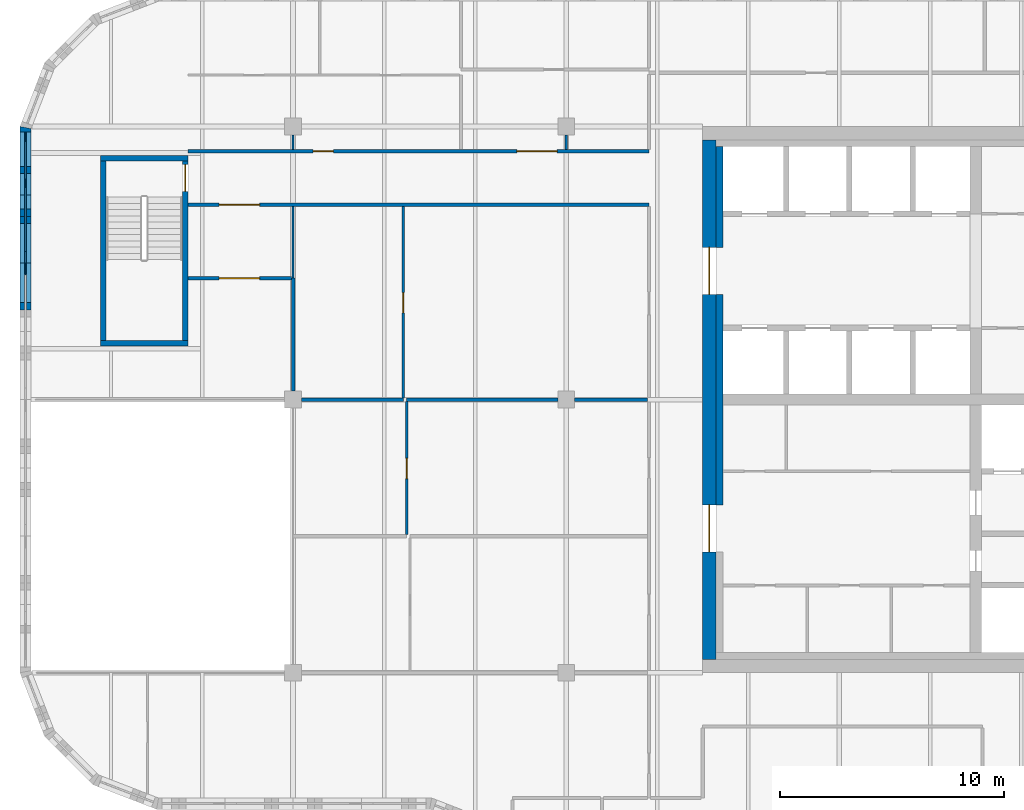
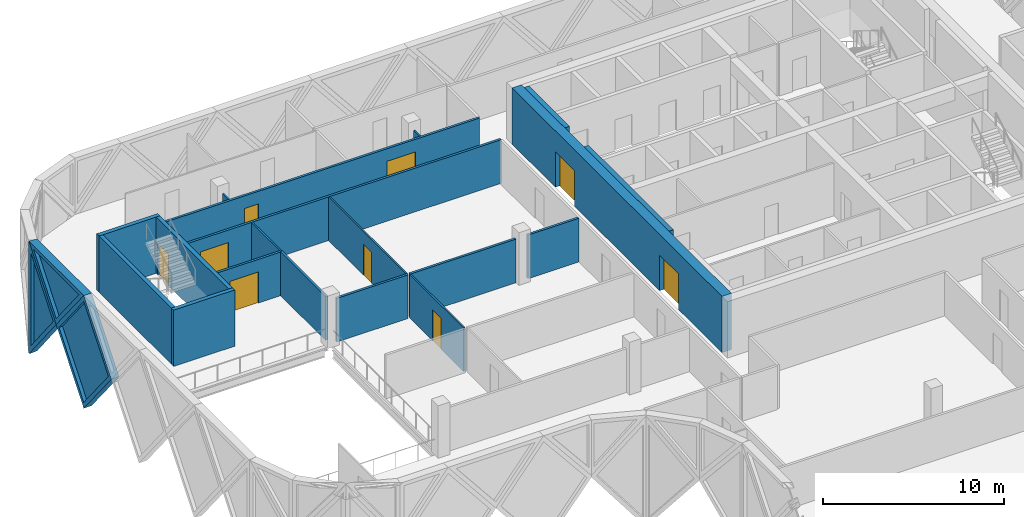
# One storey, part 9 of 15: 22 walls, 9 doors, 3 plates, 12 openings.
"""IFC4 building model written with IfcOpenShell, lengths in metres."""

from ifc_helpers import new_model, si_unit, direction, frame, frame_2d, origin, place, context, subcontext, project, spatial, polyline, rectangle, outline, extrude, faceted_brep, source, transform, mapped, material, layer, layer_set, type_object, element, fill, save


model = new_model("IFC4")

# Units and contexts
model_context = context("Model", 3, precision=1e-05, world=origin(), true_north=direction((0.0, 1.0)))
body_context = subcontext(model_context, "Body", "Model", "MODEL_VIEW")
ifc_project = project(units=[si_unit("LENGTHUNIT", "METRE"), si_unit("AREAUNIT", "SQUARE_METRE"), si_unit("VOLUMEUNIT", "CUBIC_METRE"), si_unit("PLANEANGLEUNIT", "RADIAN"), si_unit("MASSUNIT", "GRAM", prefix="KILO")], contexts=[model_context])

# Site, building, storey
site_placement = place(None, origin())
site = spatial("IfcSite", under=ifc_project, at=site_placement, CompositionType="ELEMENT")
building_placement = place(site_placement, origin())
building = spatial("IfcBuilding", under=site, at=building_placement, Name="Tessera Gate Towers", CompositionType="ELEMENT")
storey_placement = place(building_placement, frame((0.0, 0.0, 189.60009765625)))
storey = spatial("IfcBuildingStorey", under=building, at=storey_placement, Name="L47", CompositionType="ELEMENT", Elevation=189.60009765625)

# Walls
ifc_material_1 = material(Name="Concrete C40/50", Category="concrete")
ifc_layer_1 = layer(ifc_material_1, 0.25)
ifc_layer_set_1 = layer_set([ifc_layer_1], Name="CORE ENCLOSURE WALL 250")
wall_type_1 = type_object("IfcWallType", Name="CORE ENCLOSURE WALL 250", PredefinedType="SOLIDWALL", material=ifc_layer_set_1)
wall_1_placement = place(storey_placement, frame((7.5, 39.125, 0.0), z_axis=(0.0, 0.0, 1.0), x_axis=(-1.0, 0.0, 0.0)))
element("IfcWall", 1, at=wall_1_placement, inside=storey, type_object=wall_type_1, Name="L47 ST3 enclosure wall", PredefinedType="SOLIDWALL", context=body_context, shape_type="SweptSolid", body=[
    extrude(rectangle(XDim=3.89990234375, YDim=0.25, at=frame_2d((1.949951171875, 0.0))), origin(), (0.0, 0.0, 1.0), 3.7998046875),
])
wall_2_placement = place(storey_placement, frame((3.72509765625, 39.25, 0.0), z_axis=(0.0, 0.0, 1.0), x_axis=(0.0, 1.0, 0.0)))
element("IfcWall", 2, at=wall_2_placement, inside=storey, type_object=wall_type_1, Name="L47 ST3 enclosure wall", PredefinedType="SOLIDWALL", context=body_context, shape_type="SweptSolid", body=[
    extrude(rectangle(XDim=8.0, YDim=0.25, at=frame_2d((4.0, 0.0))), origin(), (0.0, 0.0, 1.0), 3.7998046875),
])
wall_3_placement = place(storey_placement, frame((3.60009765625, 47.375, 0.0), z_axis=(0.0, 0.0, 1.0), x_axis=(1.0, 0.0, 0.0)))
element("IfcWall", 3, at=wall_3_placement, inside=storey, type_object=wall_type_1, Name="L47 ST3 enclosure wall", PredefinedType="SOLIDWALL", context=body_context, shape_type="SweptSolid", body=[
    extrude(rectangle(XDim=3.89990234375, YDim=0.25, at=frame_2d((1.949951171875, 0.0))), origin(), (0.0, 0.0, 1.0), 3.7998046875),
])

# Wall, opening, door
wall_4_placement = place(storey_placement, frame((7.375, 47.25, 0.0), z_axis=(0.0, 0.0, 1.0), x_axis=(0.0, -1.0, 0.0)))
wall_4 = element("IfcWall", 4, at=wall_4_placement, inside=storey, type_object=wall_type_1, Name="L47 ST3 enclosure wall", PredefinedType="SOLIDWALL", context=body_context, shape_type="SweptSolid", body=[
    extrude(rectangle(XDim=8.0, YDim=0.25, at=frame_2d((4.0, 0.0))), origin(), (0.0, 0.0, 1.0), 3.7998046875),
])
shared_shape_1 = source(origin(), body_context, "Body", "SweptSolid", [
    extrude(rectangle(XDim=1.199951171875, YDim=2.10009765625, at=frame_2d((0.60009765625, 1.050048828125))), frame((0.0, 0.135009765625, 0.0), z_axis=(0.0, -1.0, 0.0), x_axis=(1.0, 0.0, 0.0)), (0.0, 0.0, 1.0), 0.27001953125),
])
opening_1_placement = place(wall_4_placement, frame((0.14990234375, 0.0, 0.0)))
opening_1 = element("IfcOpeningElement", 5, at=opening_1_placement, cuts=wall_4, Name="Opening SD-ST3-1", PredefinedType="OPENING", context=body_context, shape_type="MappedRepresentation", body=[
    mapped(shared_shape_1, transform((0.0, 0.0, 0.0), scale=1.0)),
])
ifc_material_2 = material(Name="Hollow steel fire door", Category="steel")
door_type_1 = type_object("IfcDoorType", Name="CORE DOOR SD 1200x2100", OperationType="NOTDEFINED", PredefinedType="DOOR", material=ifc_material_2)
shared_shape_2 = source(origin(), body_context, "Body", "SweptSolid", [
    extrude(rectangle(XDim=1.199951171875, YDim=2.10009765625, at=frame_2d((0.60009765625, 1.050048828125))), frame((0.0, 0.02490234375, 0.0), z_axis=(0.0, -1.0, 0.0), x_axis=(1.0, 0.0, 0.0)), (0.0, 0.0, 1.0), 0.050048828125),
])
door_1_placement = place(opening_1_placement, origin())
door_1 = element("IfcDoor", 6, at=door_1_placement, inside=storey, type_object=door_type_1, Name="Stair door", OperationType="SINGLE_SWING_LEFT", OverallHeight=2.10009765625, OverallWidth=1.199951171875, PredefinedType="DOOR", context=body_context, shape_type="MappedRepresentation", body=[
    mapped(shared_shape_2, transform((0.0, 0.0, 0.0), scale=1.0)),
])
fill(opening_1, door_1)

# Wall, openings, doors
ifc_material_3 = material(Name="Concrete C50/60", Category="concrete")
ifc_layer_2 = layer(ifc_material_3, 0.60009765625)
ifc_layer_set_2 = layer_set([ifc_layer_2], Name="CORE SHEAR WALL 600 C50/60")
wall_type_2 = type_object("IfcWallType", Name="CORE SHEAR WALL 600 C50/60", PredefinedType="SHEAR", material=ifc_layer_set_2)
wall_5_placement = place(storey_placement, frame((30.800048828125, 25.0, 0.0), z_axis=(0.0, 0.0, 1.0), x_axis=(0.0, 1.0, 0.0)))
wall_5 = element("IfcWall", 7, at=wall_5_placement, inside=storey, type_object=wall_type_2, Name="Core wall W L47", PredefinedType="SHEAR", context=body_context, shape_type="SweptSolid", body=[
    extrude(rectangle(XDim=23.199951171875, YDim=0.60009765625, at=frame_2d((11.60009765625, 0.0))), origin(), (0.0, 0.0, 1.0), 3.7998046875),
])
shared_shape_3 = source(origin(), body_context, "Body", "SweptSolid", [
    extrude(rectangle(XDim=2.10009765625, YDim=2.39990234375, at=frame_2d((1.050048828125, 1.199951171875))), frame((0.0, 0.31005859375, 0.0), z_axis=(0.0, -1.0, 0.0), x_axis=(1.0, 0.0, 0.0)), (0.0, 0.0, 1.0), 0.6201171875),
])
opening_2_placement = place(wall_5_placement, frame((4.800048828125, 0.0, 0.0)))
opening_2 = element("IfcOpeningElement", 8, at=opening_2_placement, cuts=wall_5, Name="Opening DD-T1-29-02", PredefinedType="OPENING", context=body_context, shape_type="MappedRepresentation", body=[
    mapped(shared_shape_3, transform((0.0, 0.0, 0.0), scale=1.0)),
])
opening_3_placement = place(wall_5_placement, frame((16.300048828125, 0.0, 0.0)))
opening_3 = element("IfcOpeningElement", 9, at=opening_3_placement, cuts=wall_5, Name="Opening DD-T1-29-03", PredefinedType="OPENING", context=body_context, shape_type="MappedRepresentation", body=[
    mapped(shared_shape_3, transform((0.0, 0.0, 0.0), scale=1.0)),
])
ifc_material_4 = material(Name="Hollow steel fire door", Category="steel")
door_type_2 = type_object("IfcDoorType", Name="CORE DOOR DD 2100x2400", OperationType="NOTDEFINED", PredefinedType="DOOR", material=ifc_material_4)
shared_shape_4 = source(origin(), body_context, "Body", "SweptSolid", [
    extrude(rectangle(XDim=2.10009765625, YDim=2.39990234375, at=frame_2d((1.050048828125, 1.199951171875))), frame((0.0, 0.02490234375, 0.0), z_axis=(0.0, -1.0, 0.0), x_axis=(1.0, 0.0, 0.0)), (0.0, 0.0, 1.0), 0.050048828125),
])
door_2_placement = place(opening_2_placement, origin())
door_2 = element("IfcDoor", 10, at=door_2_placement, inside=storey, type_object=door_type_2, Name="Core entrance door", OperationType="DOUBLE_DOOR_SINGLE_SWING", OverallHeight=2.39990234375, OverallWidth=2.10009765625, PredefinedType="DOOR", context=body_context, shape_type="MappedRepresentation", body=[
    mapped(shared_shape_4, transform((0.0, 0.0, 0.0), scale=1.0)),
])
fill(opening_2, door_2)
door_3_placement = place(opening_3_placement, origin())
door_3 = element("IfcDoor", 11, at=door_3_placement, inside=storey, type_object=door_type_2, Name="Core entrance door", OperationType="DOUBLE_DOOR_SINGLE_SWING", OverallHeight=2.39990234375, OverallWidth=2.10009765625, PredefinedType="DOOR", context=body_context, shape_type="MappedRepresentation", body=[
    mapped(shared_shape_4, transform((0.0, 0.0, 0.0), scale=1.0)),
])
fill(opening_3, door_3)

# Walls
ifc_material_5 = material(Name="Concrete C50/60", Category="concrete")
ifc_layer_3 = layer(ifc_material_5, 0.300048828125)
ifc_layer_set_3 = layer_set([ifc_layer_3], Name="CORE WALL THICKENING 300")
wall_type_3 = type_object("IfcWallType", Name="CORE WALL THICKENING 300", PredefinedType="SOLIDWALL", material=ifc_layer_set_3)
wall_6_placement = place(storey_placement, frame((31.25, 31.89990234375, 0.0), z_axis=(0.0, 0.0, 1.0), x_axis=(0.0, 1.0, 0.0)))
element("IfcWall", 12, at=wall_6_placement, inside=storey, type_object=wall_type_3, Name="Core wall thickening W L47", PredefinedType="SOLIDWALL", context=body_context, shape_type="SweptSolid", body=[
    extrude(rectangle(XDim=9.400146484375, YDim=0.300048828125, at=frame_2d((4.7001953125, 0.0))), origin(), (0.0, 0.0, 1.0), 3.7998046875),
])
wall_7_placement = place(storey_placement, frame((31.25, 43.39990234375, 0.0), z_axis=(0.0, 0.0, 1.0), x_axis=(0.0, 1.0, 0.0)))
element("IfcWall", 13, at=wall_7_placement, inside=storey, type_object=wall_type_3, Name="Core wall thickening W L47", PredefinedType="SOLIDWALL", context=body_context, shape_type="SweptSolid", body=[
    extrude(rectangle(XDim=4.5, YDim=0.300048828125, at=frame_2d((2.25, 0.0))), origin(), (0.0, 0.0, 1.0), 3.7998046875),
])

# Wall, opening, door
ifc_material_6 = material(Name="Gypsum board on steel studs, mineral wool", Category="steel")
ifc_layer_4 = layer(ifc_material_6, 0.14990234375)
ifc_layer_set_4 = layer_set([ifc_layer_4], Name="CORRIDOR WALL 150")
wall_type_4 = type_object("IfcWallType", Name="CORRIDOR WALL 150", PredefinedType="PARTITIONING", material=ifc_layer_set_4)
wall_8_placement = place(storey_placement, frame((28.10009765625, 45.300048828125, 0.0), z_axis=(0.0, 0.0, 1.0), x_axis=(-1.0, 0.0, 0.0)))
wall_8 = element("IfcWall", 14, at=wall_8_placement, inside=storey, type_object=wall_type_4, Name="T1-L47-PW-041", PredefinedType="PARTITIONING", context=body_context, shape_type="SweptSolid", body=[
    extrude(rectangle(XDim=20.60009765625, YDim=0.14990234375, at=frame_2d((10.300048828125, 0.0))), origin(), (0.0, 0.0, 1.0), 2.947021484375),
])
shared_shape_5 = source(origin(), body_context, "Body", "SweptSolid", [
    extrude(rectangle(XDim=1.800048828125, YDim=2.10009765625, at=frame_2d((0.89990234375, 1.050048828125))), frame((0.0, 0.0849609375, 0.0), z_axis=(0.0, -1.0, 0.0), x_axis=(1.0, 0.0, 0.0)), (0.0, 0.0, 1.0), 0.169921875),
])
opening_4_placement = place(wall_8_placement, frame((17.39990234375, 0.0, 0.0)))
opening_4 = element("IfcOpeningElement", 15, at=opening_4_placement, cuts=wall_8, Name="Opening D2180FD60-A17-01", PredefinedType="OPENING", context=body_context, shape_type="MappedRepresentation", body=[
    mapped(shared_shape_5, transform((0.0, 0.0, 0.0), scale=1.0)),
])
ifc_material_7 = material(Name="Timber door leaf in steel frame", Category="steel")
door_type_3 = type_object("IfcDoorType", Name="TENANCY ENTRANCE DOUBLE DOOR 1800 FD60", OperationType="NOTDEFINED", PredefinedType="DOOR", material=ifc_material_7)
shared_shape_6 = source(origin(), body_context, "Body", "SweptSolid", [
    extrude(rectangle(XDim=1.800048828125, YDim=2.10009765625, at=frame_2d((0.89990234375, 1.050048828125))), frame((0.0, 0.02490234375, 0.0), z_axis=(0.0, -1.0, 0.0), x_axis=(1.0, 0.0, 0.0)), (0.0, 0.0, 1.0), 0.050048828125),
])
door_4_placement = place(opening_4_placement, origin())
door_4 = element("IfcDoor", 16, at=door_4_placement, inside=storey, type_object=door_type_3, Name="T1-L47-PD-007", OperationType="DOUBLE_DOOR_SINGLE_SWING", OverallHeight=2.10009765625, OverallWidth=1.800048828125, PredefinedType="DOOR", context=body_context, shape_type="MappedRepresentation", body=[
    mapped(shared_shape_6, transform((0.0, 0.0, 0.0), scale=1.0)),
])
fill(opening_4, door_4)

# Wall, openings, doors
wall_9_placement = place(storey_placement, frame((7.5, 47.699951171875, 0.0), z_axis=(0.0, 0.0, 1.0), x_axis=(1.0, 0.0, 0.0)))
wall_9 = element("IfcWall", 17, at=wall_9_placement, inside=storey, type_object=wall_type_4, Name="T1-L47-PW-042", PredefinedType="PARTITIONING", context=body_context, shape_type="SweptSolid", body=[
    extrude(rectangle(XDim=20.60009765625, YDim=0.14990234375, at=frame_2d((10.300048828125, 0.0))), origin(), (0.0, 0.0, 1.0), 2.947021484375),
])
opening_5_placement = place(wall_9_placement, frame((14.700927734375, 0.0, 0.0)))
opening_5 = element("IfcOpeningElement", 18, at=opening_5_placement, cuts=wall_9, Name="Opening D2180FD60-A17-02", PredefinedType="OPENING", context=body_context, shape_type="MappedRepresentation", body=[
    mapped(shared_shape_5, transform((0.0, 0.0, 0.0), scale=1.0)),
])
shared_shape_7 = source(origin(), body_context, "Body", "SweptSolid", [
    extrude(rectangle(XDim=0.89990234375, YDim=2.10009765625, at=frame_2d((0.449951171875, 1.050048828125))), frame((0.0, 0.0849609375, 0.0), z_axis=(0.0, -1.0, 0.0), x_axis=(1.0, 0.0, 0.0)), (0.0, 0.0, 1.0), 0.169921875),
])
opening_6_placement = place(wall_9_placement, frame((5.60009765625, 0.0, 0.0)))
opening_6 = element("IfcOpeningElement", 19, at=opening_6_placement, cuts=wall_9, Name="Opening D890FD60-A17-06", PredefinedType="OPENING", context=body_context, shape_type="MappedRepresentation", body=[
    mapped(shared_shape_7, transform((0.0, 0.0, 0.0), scale=1.0)),
])
ifc_material_8 = material(Name="Timber door leaf in steel frame", Category="steel")
door_type_4 = type_object("IfcDoorType", Name="CORRIDOR DOOR 900 FD60", OperationType="NOTDEFINED", PredefinedType="DOOR", material=ifc_material_8)
shared_shape_8 = source(origin(), body_context, "Body", "SweptSolid", [
    extrude(rectangle(XDim=0.89990234375, YDim=2.10009765625, at=frame_2d((0.449951171875, 1.050048828125))), frame((0.0, 0.02490234375, 0.0), z_axis=(0.0, -1.0, 0.0), x_axis=(1.0, 0.0, 0.0)), (0.0, 0.0, 1.0), 0.050048828125),
])
door_5_placement = place(opening_6_placement, origin())
door_5 = element("IfcDoor", 20, at=door_5_placement, inside=storey, type_object=door_type_4, Name="T1-L47-PD-024", OperationType="SINGLE_SWING_LEFT", OverallHeight=2.10009765625, OverallWidth=0.89990234375, PredefinedType="DOOR", context=body_context, shape_type="MappedRepresentation", body=[
    mapped(shared_shape_8, transform((0.0, 0.0, 0.0), scale=1.0)),
])
fill(opening_6, door_5)
door_6_placement = place(opening_5_placement, origin())
door_6 = element("IfcDoor", 21, at=door_6_placement, inside=storey, type_object=door_type_3, Name="T1-L47-PD-018", OperationType="DOUBLE_DOOR_SINGLE_SWING", OverallHeight=2.10009765625, OverallWidth=1.800048828125, PredefinedType="DOOR", context=body_context, shape_type="MappedRepresentation", body=[
    mapped(shared_shape_6, transform((0.0, 0.0, 0.0), scale=1.0)),
])
fill(opening_5, door_6)

# Wall, opening, door
ifc_material_9 = material(Name="Glass", Category="glass")
ifc_layer_5 = layer(ifc_material_9, 0.10009765625)
ifc_layer_set_5 = layer_set([ifc_layer_5], Name="GLAZED PARTITION 100")
wall_type_5 = type_object("IfcWallType", Name="GLAZED PARTITION 100", PredefinedType="PARTITIONING", material=ifc_layer_set_5)
wall_10_placement = place(storey_placement, frame((17.125, 36.676025390625, 0.0), z_axis=(0.0, 0.0, 1.0), x_axis=(0.0, 1.0, 0.0)))
wall_10 = element("IfcWall", 22, at=wall_10_placement, inside=storey, type_object=wall_type_5, Name="T1-L47-PW-037", PredefinedType="PARTITIONING", context=body_context, shape_type="SweptSolid", body=[
    extrude(rectangle(XDim=8.548095703125, YDim=0.10009765625, at=frame_2d((4.27392578125, 0.0))), origin(), (0.0, 0.0, 1.0), 2.947021484375),
])
shared_shape_9 = source(origin(), body_context, "Body", "SweptSolid", [
    extrude(rectangle(XDim=0.89990234375, YDim=2.10009765625, at=frame_2d((0.449951171875, 1.050048828125))), frame((0.0, 0.06005859375, 0.0), z_axis=(0.0, -1.0, 0.0), x_axis=(1.0, 0.0, 0.0)), (0.0, 0.0, 1.0), 0.1201171875),
])
opening_7_placement = place(wall_10_placement, frame((3.800048828125, 0.0, 0.0)))
opening_7 = element("IfcOpeningElement", 23, at=opening_7_placement, cuts=wall_10, Name="Opening D690-A17-05", PredefinedType="OPENING", context=body_context, shape_type="MappedRepresentation", body=[
    mapped(shared_shape_9, transform((0.0, 0.0, 0.0), scale=1.0)),
])
ifc_material_10 = material(Name="Glass in aluminium frame", Category="aluminium")
door_type_5 = type_object("IfcDoorType", Name="GLAZED DOOR 900 NOT RATED", OperationType="NOTDEFINED", PredefinedType="DOOR", material=ifc_material_10)
door_7_placement = place(opening_7_placement, origin())
door_7 = element("IfcDoor", 24, at=door_7_placement, inside=storey, type_object=door_type_5, Name="T1-L47-PD-020", OperationType="SINGLE_SWING_LEFT", OverallHeight=2.10009765625, OverallWidth=0.89990234375, PredefinedType="DOOR", context=body_context, shape_type="MappedRepresentation", body=[
    mapped(shared_shape_8, transform((0.0, 0.0, 0.0), scale=1.0)),
])
fill(opening_7, door_7)

# Wall
wall_11_placement = place(storey_placement, frame((12.199951171875, 42.02587890625, 0.0), z_axis=(0.0, 0.0, 1.0), x_axis=(0.0, 1.0, 0.0)))
element("IfcWall", 25, at=wall_11_placement, inside=storey, type_object=wall_type_5, Name="T1-L47-PW-040", PredefinedType="PARTITIONING", context=body_context, shape_type="SweptSolid", body=[
    extrude(rectangle(XDim=3.1982421875, YDim=0.10009765625, at=frame_2d((1.59912109375, 0.0))), origin(), (0.0, 0.0, 1.0), 2.947021484375),
])

# Wall, opening, door
ifc_material_11 = material(Name="Gypsum board on steel studs", Category="steel")
ifc_layer_6 = layer(ifc_material_11, 0.10009765625)
ifc_layer_set_6 = layer_set([ifc_layer_6], Name="PARTITION 100")
wall_type_6 = type_object("IfcWallType", Name="PARTITION 100", PredefinedType="PARTITIONING", material=ifc_layer_set_6)
wall_12_placement = place(storey_placement, frame((17.27490234375, 30.575927734375, 0.0), z_axis=(0.0, 0.0, 1.0), x_axis=(0.0, 1.0, 0.0)))
wall_12 = element("IfcWall", 26, at=wall_12_placement, inside=storey, type_object=wall_type_6, Name="T1-L47-PW-033", PredefinedType="PARTITIONING", context=body_context, shape_type="SweptSolid", body=[
    extrude(rectangle(XDim=5.947998046875, YDim=0.10009765625, at=frame_2d((2.97412109375, 0.0))), origin(), (0.0, 0.0, 1.0), 2.947021484375),
])
opening_8_placement = place(wall_12_placement, frame((2.5, 0.0, 0.0)))
opening_8 = element("IfcOpeningElement", 27, at=opening_8_placement, cuts=wall_12, Name="Opening D190-A17-05", PredefinedType="OPENING", context=body_context, shape_type="MappedRepresentation", body=[
    mapped(shared_shape_9, transform((0.0, 0.0, 0.0), scale=1.0)),
])
ifc_material_12 = material(Name="Timber door leaf in steel frame", Category="steel")
door_type_6 = type_object("IfcDoorType", Name="INTERNAL DOOR 900 NOT RATED", OperationType="NOTDEFINED", PredefinedType="DOOR", material=ifc_material_12)
door_8_placement = place(opening_8_placement, origin())
door_8 = element("IfcDoor", 28, at=door_8_placement, inside=storey, type_object=door_type_6, Name="T1-L47-PD-013", OperationType="SINGLE_SWING_LEFT", OverallHeight=2.10009765625, OverallWidth=0.89990234375, PredefinedType="DOOR", context=body_context, shape_type="MappedRepresentation", body=[
    mapped(shared_shape_8, transform((0.0, 0.0, 0.0), scale=1.0)),
])
fill(opening_8, door_8)

# Walls
for number, where, z_axis, x_axis, name in (
    (29, (12.199951171875, 48.425048828125, 0.0), (0.0, 0.0, 1.0), (0.0, -1.0, 0.0), "T1-L47-PW-045"),
    (30, (24.39990234375, 48.425048828125, 0.0), (0.0, 0.0, 1.0), (0.0, -1.0, 0.0), "T1-L47-PW-046"),
):
    element("IfcWall", number, at=place(storey_placement, frame(where, z_axis=z_axis, x_axis=x_axis)), inside=storey, type_object=wall_type_6, Name=name, PredefinedType="PARTITIONING", context=body_context, shape_type="SweptSolid", body=[
        extrude(rectangle(XDim=0.650146484375, YDim=0.10009765625, at=frame_2d((0.3251953125, 0.0))), origin(), (0.0, 0.0, 1.0), 2.947021484375),
    ])
ifc_material_13 = material(Name="Gypsum board on steel studs, mineral wool", Category="steel")
ifc_layer_7 = layer(ifc_material_13, 0.14990234375)
ifc_layer_set_7 = layer_set([ifc_layer_7], Name="TENANCY WALL 150")
wall_type_7 = type_object("IfcWallType", Name="TENANCY WALL 150", PredefinedType="PARTITIONING", material=ifc_layer_set_7)
wall_13_placement = place(storey_placement, frame((12.575927734375, 36.60009765625, 0.0), z_axis=(0.0, 0.0, 1.0), x_axis=(1.0, 0.0, 0.0)))
element("IfcWall", 31, at=wall_13_placement, inside=storey, type_object=wall_type_7, Name="T1-L47-PW-034", PredefinedType="PARTITIONING", context=body_context, shape_type="SweptSolid", body=[
    extrude(rectangle(XDim=4.549072265625, YDim=0.14990234375, at=frame_2d((2.2744140625, 0.0))), origin(), (0.0, 0.0, 1.0), 2.947021484375),
])
wall_14_placement = place(storey_placement, frame((17.27490234375, 36.60009765625, 0.0), z_axis=(0.0, 0.0, 1.0), x_axis=(1.0, 0.0, 0.0)))
element("IfcWall", 32, at=wall_14_placement, inside=storey, type_object=wall_type_7, Name="T1-L47-PW-035", PredefinedType="PARTITIONING", context=body_context, shape_type="SweptSolid", body=[
    extrude(rectangle(XDim=6.7490234375, YDim=0.14990234375, at=frame_2d((3.37451171875, 0.0))), origin(), (0.0, 0.0, 1.0), 2.947021484375),
])
wall_15_placement = place(storey_placement, frame((24.77587890625, 36.60009765625, 0.0), z_axis=(0.0, 0.0, 1.0), x_axis=(1.0, 0.0, 0.0)))
element("IfcWall", 33, at=wall_15_placement, inside=storey, type_object=wall_type_7, Name="T1-L47-PW-036", PredefinedType="PARTITIONING", context=body_context, shape_type="SweptSolid", body=[
    extrude(rectangle(XDim=3.248046875, YDim=0.14990234375, at=frame_2d((1.6240234375, 0.0))), origin(), (0.0, 0.0, 1.0), 2.947021484375),
])
wall_16_placement = place(storey_placement, frame((12.199951171875, 36.97607421875, 0.0), z_axis=(0.0, 0.0, 1.0), x_axis=(0.0, 1.0, 0.0)))
element("IfcWall", 34, at=wall_16_placement, inside=storey, type_object=wall_type_7, Name="T1-L47-PW-038", PredefinedType="PARTITIONING", context=body_context, shape_type="SweptSolid", body=[
    extrude(rectangle(XDim=5.048828125, YDim=0.14990234375, at=frame_2d((2.5244140625, 0.0))), origin(), (0.0, 0.0, 1.0), 2.947021484375),
])

# Wall, opening, door
wall_17_placement = place(storey_placement, frame((12.1240234375, 42.02490234375, 0.0), z_axis=(0.0, 0.0, 1.0), x_axis=(-1.0, 0.0, 0.0)))
wall_17 = element("IfcWall", 35, at=wall_17_placement, inside=storey, type_object=wall_type_7, Name="T1-L47-PW-039", PredefinedType="PARTITIONING", context=body_context, shape_type="SweptSolid", body=[
    extrude(rectangle(XDim=4.6240234375, YDim=0.14990234375, at=frame_2d((2.31201171875, 0.0))), origin(), (0.0, 0.0, 1.0), 2.947021484375),
])
opening_9_placement = place(wall_17_placement, frame((1.424072265625, 0.0, 0.0)))
opening_9 = element("IfcOpeningElement", 36, at=opening_9_placement, cuts=wall_17, Name="Opening D7180-A17-01", PredefinedType="OPENING", context=body_context, shape_type="MappedRepresentation", body=[
    mapped(shared_shape_5, transform((0.0, 0.0, 0.0), scale=1.0)),
])
ifc_material_14 = material(Name="Timber door leaf in steel frame", Category="steel")
door_type_7 = type_object("IfcDoorType", Name="DOUBLE DOOR 1800 NOT RATED", OperationType="NOTDEFINED", PredefinedType="DOOR", material=ifc_material_14)
door_9_placement = place(opening_9_placement, origin())
door_9 = element("IfcDoor", 37, at=door_9_placement, inside=storey, type_object=door_type_7, Name="T1-L47-PD-006", OperationType="DOUBLE_DOOR_SINGLE_SWING", OverallHeight=2.10009765625, OverallWidth=1.800048828125, PredefinedType="DOOR", context=body_context, shape_type="MappedRepresentation", body=[
    mapped(shared_shape_6, transform((0.0, 0.0, 0.0), scale=1.0)),
])
fill(opening_9, door_9)

# Wall, opening, plate
ifc_material_15 = material(Name="Precast concrete C60/75 white", Category="concrete")
ifc_layer_8 = layer(ifc_material_15, 0.5)
ifc_layer_set_8 = layer_set([ifc_layer_8], Name="TS1 tessera")
wall_type_8 = type_object("IfcWallType", Name="TS1 tessera", PredefinedType="SOLIDWALL", material=ifc_layer_set_8)
shared_shape_10 = source(origin(), body_context, "Body", "SweptSolid", [
    extrude(outline(polyline([(3.050048828125, 0.0), (6.10009765625, 3.800048828125), (3.050048828125, 7.599853515625), (0.0, 3.800048828125), (3.050048828125, 0.0)])), frame((0.0, 0.25, 0.0), z_axis=(0.0, -1.0, 0.0), x_axis=(1.0, 0.0, 0.0)), (0.0, 0.0, 1.0), 0.5),
])
wall_18_placement = place(storey_placement, frame((0.25, 45.75, -3.800048828125), z_axis=(0.0, 0.0, 1.0), x_axis=(0.0, -1.0, 0.0)))
wall_18 = element("IfcWall", 38, at=wall_18_placement, inside=storey, type_object=wall_type_8, Name="Precast tessera T1 TS1-0846", PredefinedType="SOLIDWALL", context=body_context, shape_type="MappedRepresentation", body=[
    mapped(shared_shape_10, transform((0.0, 0.0, 0.0), scale=1.0)),
])
shared_shape_11 = source(origin(), body_context, "Body", "SweptSolid", [
    extrude(outline(polyline([(3.050048828125, 0.3994140625), (5.779541015625, 3.800048828125), (3.050048828125, 7.200439453125), (0.320556640625, 3.800048828125), (3.050048828125, 0.3994140625)])), frame((0.0, 0.260009765625, 0.0), z_axis=(0.0, -1.0, 0.0), x_axis=(1.0, 0.0, 0.0)), (0.0, 0.0, 1.0), 0.52001953125),
])
opening_10_placement = place(wall_18_placement, origin())
opening_10 = element("IfcOpeningElement", 39, at=opening_10_placement, cuts=wall_18, Name="Opening T1-PL2-1722", PredefinedType="OPENING", context=body_context, shape_type="MappedRepresentation", body=[
    mapped(shared_shape_11, transform((0.0, 0.0, 0.0), scale=1.0)),
])
ifc_material_16 = material(Name="Low-e laminated glass", Category="glass")
ifc_layer_9 = layer(ifc_material_16, 0.06005859375)
ifc_layer_set_9 = layer_set([ifc_layer_9], Name="PL2 rhombic pane")
plate_type_1 = type_object("IfcPlateType", Name="PL2 rhombic pane", PredefinedType="SHEET", material=ifc_layer_set_9)
shared_shape_12 = source(origin(), body_context, "Body", "SweptSolid", [
    extrude(outline(polyline([(3.050048828125, 0.3994140625), (5.779541015625, 3.800048828125), (3.050048828125, 7.200439453125), (0.320556640625, 3.800048828125), (3.050048828125, 0.3994140625)])), frame((0.0, 0.030029296875, 0.0), z_axis=(0.0, -1.0, 0.0), x_axis=(1.0, 0.0, 0.0)), (0.0, 0.0, 1.0), 0.06005859375),
])
plate_1_placement = place(opening_10_placement, origin())
plate_1 = element("IfcPlate", 40, at=plate_1_placement, inside=storey, type_object=plate_type_1, Name="Glass pane T1 PL2-1722", PredefinedType="SHEET", context=body_context, shape_type="MappedRepresentation", body=[
    mapped(shared_shape_12, transform((0.0, 0.0, 0.0), scale=1.0)),
])
fill(opening_10, plate_1)

ifc_material_17 = material(Name="Precast concrete C60/75 white", Category="concrete")
ifc_layer_10 = layer(ifc_material_17, 0.5)
ifc_layer_set_10 = layer_set([ifc_layer_10], Name="TS3 corner tessera")
wall_type_9 = type_object("IfcWallType", Name="TS3 corner tessera", PredefinedType="SOLIDWALL", material=ifc_layer_set_10)
shared_shape_13 = source(origin(), body_context, "Body", "Brep", [
    faceted_brep([(0.046630859375, -0.25, 0.0), (3.050048828125, -0.25, 3.800048828125), (0.046630859375, -0.25, 7.599853515625), (0.0, -0.25, 7.539794921875), (0.0, -0.25, 0.06005859375), (0.09326171875, 0.25, 7.541015625), (3.050048828125, 0.25, 3.800048828125), (0.09326171875, 0.25, 0.058837890625), (0.046630859375, 0.0, 0.0), (0.046630859375, 0.0, 7.599853515625)], [[[0, 1, 2, 3, 4]], [[5, 6, 7]], [[7, 6, 1, 0, 8]], [[6, 5, 9, 2, 1]], [[3, 2, 9]], [[8, 0, 4]], [[7, 8, 4, 3, 9, 5]]]),
])
wall_19_placement = place(storey_placement, frame((0.25, 48.800048828125, -3.800048828125), z_axis=(0.0, 0.0, 1.0), x_axis=(0.0, -1.0, 0.0)))
wall_19 = element("IfcWall", 41, at=wall_19_placement, inside=storey, type_object=wall_type_9, Name="Precast corner tessera T1 TS3-1092", PredefinedType="SOLIDWALL", context=body_context, shape_type="MappedRepresentation", body=[
    mapped(shared_shape_13, transform((0.0, 0.0, 0.0), scale=1.0)),
])
shared_shape_14 = source(origin(), body_context, "Body", "SweptSolid", [
    extrude(outline(polyline([(0.24658203125, 0.65625), (2.7314453125, 3.800048828125), (0.24658203125, 6.94384765625), (0.24658203125, 0.65625)])), frame((0.0, 0.260009765625, 0.0), z_axis=(0.0, -1.0, 0.0), x_axis=(1.0, 0.0, 0.0)), (0.0, 0.0, 1.0), 0.52001953125),
])
opening_11_placement = place(wall_19_placement, origin())
opening_11 = element("IfcOpeningElement", 42, at=opening_11_placement, cuts=wall_19, Name="Opening T1-PL2-1721", PredefinedType="OPENING", context=body_context, shape_type="MappedRepresentation", body=[
    mapped(shared_shape_14, transform((0.0, 0.0, 0.0), scale=1.0)),
])
shared_shape_15 = source(origin(), body_context, "Body", "SweptSolid", [
    extrude(outline(polyline([(0.24658203125, 0.65625), (2.7314453125, 3.800048828125), (0.24658203125, 6.94384765625), (0.24658203125, 0.65625)])), frame((0.0, 0.030029296875, 0.0), z_axis=(0.0, -1.0, 0.0), x_axis=(1.0, 0.0, 0.0)), (0.0, 0.0, 1.0), 0.06005859375),
])
plate_2_placement = place(opening_11_placement, origin())
plate_2 = element("IfcPlate", 43, at=plate_2_placement, inside=storey, type_object=plate_type_1, Name="Glass pane T1 PL2-1721", PredefinedType="SHEET", context=body_context, shape_type="MappedRepresentation", body=[
    mapped(shared_shape_15, transform((0.0, 0.0, 0.0), scale=1.0)),
])
fill(opening_11, plate_2)

ifc_material_18 = material(Name="Precast concrete C60/75 white", Category="concrete")
ifc_layer_11 = layer(ifc_material_18, 0.5)
ifc_layer_set_11 = layer_set([ifc_layer_11], Name="TS2 half tessera")
wall_type_10 = type_object("IfcWallType", Name="TS2 half tessera", PredefinedType="SOLIDWALL", material=ifc_layer_set_11)
shared_shape_16 = source(origin(), body_context, "Body", "Brep", [
    faceted_brep([(3.00341796875, -0.25, 0.0), (6.053466796875, -0.25, 3.7998046875), (0.0, -0.25, 3.7998046875), (0.046630859375, 0.25, 3.7998046875), (6.053466796875, 0.25, 3.7998046875), (3.00341796875, 0.25, 0.0), (0.046630859375, 0.25, 3.740966796875), (0.0, 0.0, 3.7998046875)], [[[0, 1, 2]], [[3, 4, 5, 6]], [[5, 4, 1, 0]], [[4, 3, 7, 2, 1]], [[6, 5, 0, 2, 7]], [[6, 7, 3]]]),
])
wall_20_placement = place(storey_placement, frame((0.25, 48.75341796875, 0.0), z_axis=(0.0, 0.0, 1.0), x_axis=(0.0, -1.0, 0.0)))
wall_20 = element("IfcWall", 44, at=wall_20_placement, inside=storey, type_object=wall_type_10, Name="Precast half tessera T1 TS2-0224", PredefinedType="SOLIDWALL", context=body_context, shape_type="MappedRepresentation", body=[
    mapped(shared_shape_16, transform((0.0, 0.0, 0.0), scale=1.0)),
])
shared_shape_17 = source(origin(), body_context, "Body", "SweptSolid", [
    extrude(outline(polyline([(3.0048828125, 0.401123046875), (5.5322265625, 3.5498046875), (0.516357421875, 3.5498046875), (3.0048828125, 0.401123046875)])), frame((0.0, 0.260009765625, 0.0), z_axis=(0.0, -1.0, 0.0), x_axis=(1.0, 0.0, 0.0)), (0.0, 0.0, 1.0), 0.52001953125),
])
opening_12_placement = place(wall_20_placement, origin())
opening_12 = element("IfcOpeningElement", 45, at=opening_12_placement, cuts=wall_20, Name="Opening T1-PL1-0454", PredefinedType="OPENING", context=body_context, shape_type="MappedRepresentation", body=[
    mapped(shared_shape_17, transform((0.0, 0.0, 0.0), scale=1.0)),
])
ifc_material_19 = material(Name="Low-e laminated glass", Category="glass")
ifc_layer_12 = layer(ifc_material_19, 0.06005859375)
ifc_layer_set_12 = layer_set([ifc_layer_12], Name="PL1 triangular pane")
plate_type_2 = type_object("IfcPlateType", Name="PL1 triangular pane", PredefinedType="SHEET", material=ifc_layer_set_12)
shared_shape_18 = source(origin(), body_context, "Body", "SweptSolid", [
    extrude(outline(polyline([(3.0048828125, 0.401123046875), (5.5322265625, 3.5498046875), (0.516357421875, 3.5498046875), (3.0048828125, 0.401123046875)])), frame((0.0, 0.030029296875, 0.0), z_axis=(0.0, -1.0, 0.0), x_axis=(1.0, 0.0, 0.0)), (0.0, 0.0, 1.0), 0.06005859375),
])
plate_3_placement = place(opening_12_placement, origin())
plate_3 = element("IfcPlate", 46, at=plate_3_placement, inside=storey, type_object=plate_type_2, Name="Glass pane T1 PL1-0454", PredefinedType="SHEET", context=body_context, shape_type="MappedRepresentation", body=[
    mapped(shared_shape_18, transform((0.0, 0.0, 0.0), scale=1.0)),
])
fill(opening_12, plate_3)

save(model, "model.ifc")
